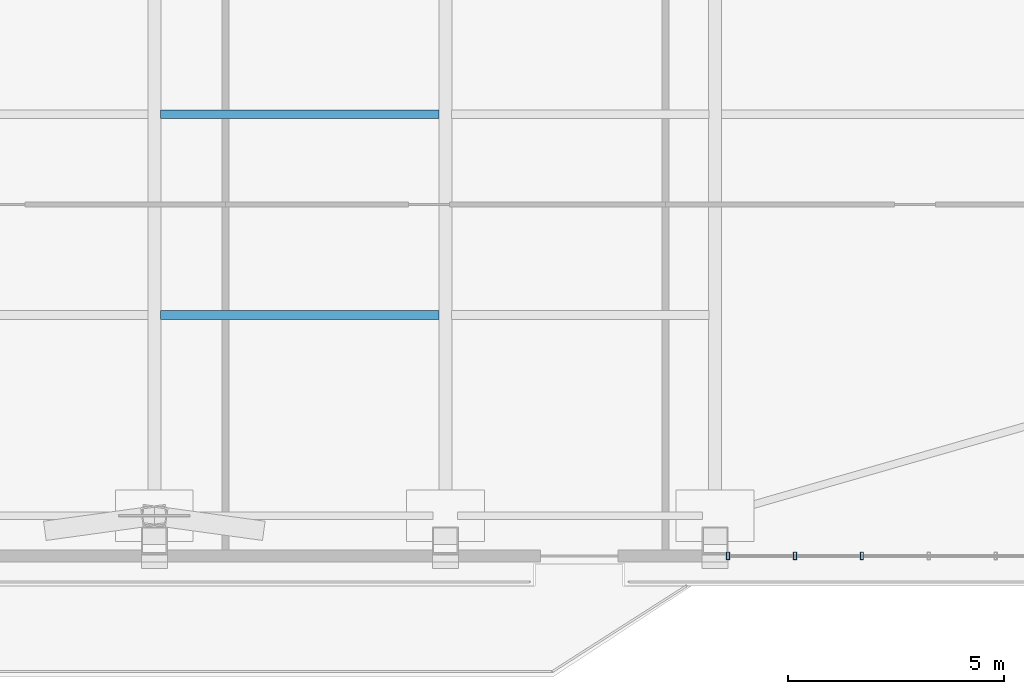
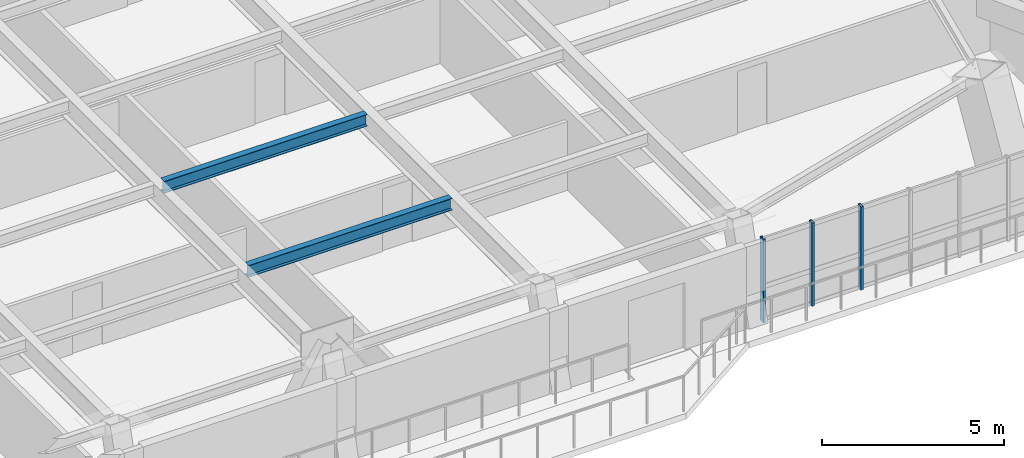
# One storey, part 4 of 16: 3 members, 2 beams, 1 element without a shape of its own.
"""IFC4 building model written with IfcOpenShell, lengths in metres."""

from ifc_helpers import new_model, si_unit, direction, frame, origin, origin_2d, place, context, subcontext, project, spatial, hollow_rectangle, i_section, extrude, source, transform, mapped, material, layer, layer_set, material_profile, profile_set, type_object, element, aggregate, save


model = new_model("IFC4")

# Units and contexts
model_context = context("Model", 3, precision=1e-05, world=origin(), true_north=direction((0.0, 1.0)))
body_context = subcontext(model_context, "Body", "Model", "MODEL_VIEW")
ifc_project = project(units=[si_unit("LENGTHUNIT", "METRE"), si_unit("AREAUNIT", "SQUARE_METRE"), si_unit("VOLUMEUNIT", "CUBIC_METRE"), si_unit("PLANEANGLEUNIT", "RADIAN"), si_unit("MASSUNIT", "GRAM", prefix="KILO")], contexts=[model_context])

# Site, building, storey
site_placement = place(None, origin())
site = spatial("IfcSite", under=ifc_project, at=site_placement, CompositionType="ELEMENT")
building_placement = place(site_placement, origin())
building = spatial("IfcBuilding", under=site, at=building_placement, Name="Giltprow Tower", CompositionType="ELEMENT")
storey_placement = place(building_placement, frame((0.0, 0.0, 233.800048828125)))
storey = spatial("IfcBuildingStorey", under=building, at=storey_placement, Name="L59", CompositionType="ELEMENT", Elevation=233.800048828125)

# Beams
ifc_material_1 = material(Name="Structural steel Q355B", Category="steel")
ifc_material_profile_1 = material_profile(ifc_material_1, i_section(OverallWidth=0.199951171875, OverallDepth=0.39990234375, WebThickness=0.008056640625, FlangeThickness=0.012939453125, at=origin_2d()), Name="HN 400x200x8x13")
ifc_profile_set_1 = profile_set([ifc_material_profile_1], Name="Structural steel Q355B")
beam_type = type_object("IfcBeamType", Name="BM-JOIST-HN400", PredefinedType="JOIST", material=ifc_profile_set_1)
shared_shape_1 = source(origin(), body_context, "Body", "SweptSolid", [
    extrude(i_section(OverallWidth=0.199951171875, OverallDepth=0.39990234375, WebThickness=0.008056640625, FlangeThickness=0.012939453125, at=origin_2d()), origin(), (0.0, 0.0, 1.0), 6.4599609375),
])
for number, where, z_axis, x_axis, name in (
    (1, (37.695068359375, 18.8359375, 2.919921875), (1.0, 0.0, 0.0), (0.0, 1.0, 0.0), "L59 Composite Floor Joist 1-3"),
    (2, (37.695068359375, 23.489013671875, 2.919921875), (1.0, 0.0, 0.0), (0.0, 1.0, 0.0), "L59 Composite Floor Joist 2-3"),
):
    element("IfcBeam", number, at=place(storey_placement, frame(where, z_axis=z_axis, x_axis=x_axis)), inside=storey, type_object=beam_type, Name=name, PredefinedType="JOIST", context=body_context, shape_type="MappedRepresentation", body=[
        mapped(shared_shape_1, transform((0.0, 0.0, 0.0), x_axis=(1.0, 0.0, 0.0), y_axis=(0.0, 1.0, 0.0), z_axis=(0.0, 0.0, 1.0), scale=1.0)),
    ])

# Curtain wall, members
ifc_material_2 = material(Name="Anodized bronze", Category="metal")
ifc_layer = layer(ifc_material_2, 0.179931640625, Name="Anodized bronze")
ifc_layer_set = layer_set([ifc_layer], Name="Anodized bronze")
curtain_wall_type = type_object("IfcCurtainWallType", Name="CW-RES-SKY", PredefinedType="NOTDEFINED", material=ifc_layer_set)
curtain_wall_placement = place(storey_placement, origin())
curtain_wall = element("IfcCurtainWall", 3, at=curtain_wall_placement, inside=storey, type_object=curtain_wall_type, Name="L59 South Recessed Curtain Wall 6", PredefinedType="NOTDEFINED")
ifc_material_profile_2 = material_profile(ifc_material_2, hollow_rectangle(XDim=0.074951171875, YDim=0.179931640625, WallThickness=0.008056640625, at=origin_2d()), Name="RHS 180x75x8")
ifc_profile_set_2 = profile_set([ifc_material_profile_2], Name="Anodized bronze")
member_type = type_object("IfcMemberType", Name="CW-MULLION-180x75", PredefinedType="MULLION", material=ifc_profile_set_2)
shared_shape_2 = source(origin(), body_context, "Body", "SweptSolid", [
    extrude(hollow_rectangle(XDim=0.074951171875, YDim=0.179931640625, WallThickness=0.008056640625, at=origin_2d()), origin(), (0.0, 0.0, 1.0), 2.804931640625),
])
member_1_placement = place(storey_placement, frame((50.85009765625, 13.25, -0.02001953125), z_axis=(0.0, 0.0, 1.0), x_axis=(1.0, 0.0, 0.0)))
member_1 = element("IfcMember", 4, at=member_1_placement, type_object=member_type, Name="L59 South Recessed Curtain Wall 6 Mullion 1", PredefinedType="MULLION", context=body_context, shape_type="MappedRepresentation", body=[
    mapped(shared_shape_2, transform((0.0, 0.0, 0.0), x_axis=(1.0, 0.0, 0.0), y_axis=(0.0, 1.0, 0.0), z_axis=(0.0, 0.0, 1.0), scale=1.0)),
])
member_2_placement = place(storey_placement, frame((52.402099609375, 13.25, -0.02001953125), z_axis=(0.0, 0.0, 1.0), x_axis=(1.0, 0.0, 0.0)))
member_2 = element("IfcMember", 5, at=member_2_placement, type_object=member_type, Name="L59 South Recessed Curtain Wall 6 Mullion 2", PredefinedType="MULLION", context=body_context, shape_type="MappedRepresentation", body=[
    mapped(shared_shape_2, transform((0.0, 0.0, 0.0), x_axis=(1.0, 0.0, 0.0), y_axis=(0.0, 1.0, 0.0), z_axis=(0.0, 0.0, 1.0), scale=1.0)),
])
member_3_placement = place(storey_placement, frame((53.952880859375, 13.25, -0.02001953125), z_axis=(0.0, 0.0, 1.0), x_axis=(1.0, 0.0, 0.0)))
member_3 = element("IfcMember", 6, at=member_3_placement, type_object=member_type, Name="L59 South Recessed Curtain Wall 6 Mullion 3", PredefinedType="MULLION", context=body_context, shape_type="MappedRepresentation", body=[
    mapped(shared_shape_2, transform((0.0, 0.0, 0.0), x_axis=(1.0, 0.0, 0.0), y_axis=(0.0, 1.0, 0.0), z_axis=(0.0, 0.0, 1.0), scale=1.0)),
])
aggregate(curtain_wall, [member_1, member_2, member_3])

save(model, "model.ifc")
